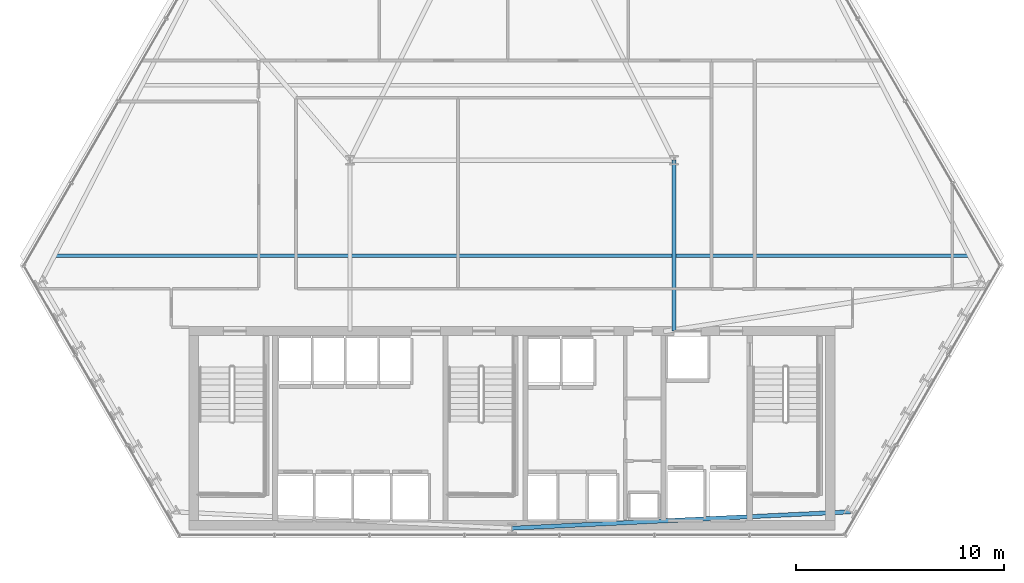
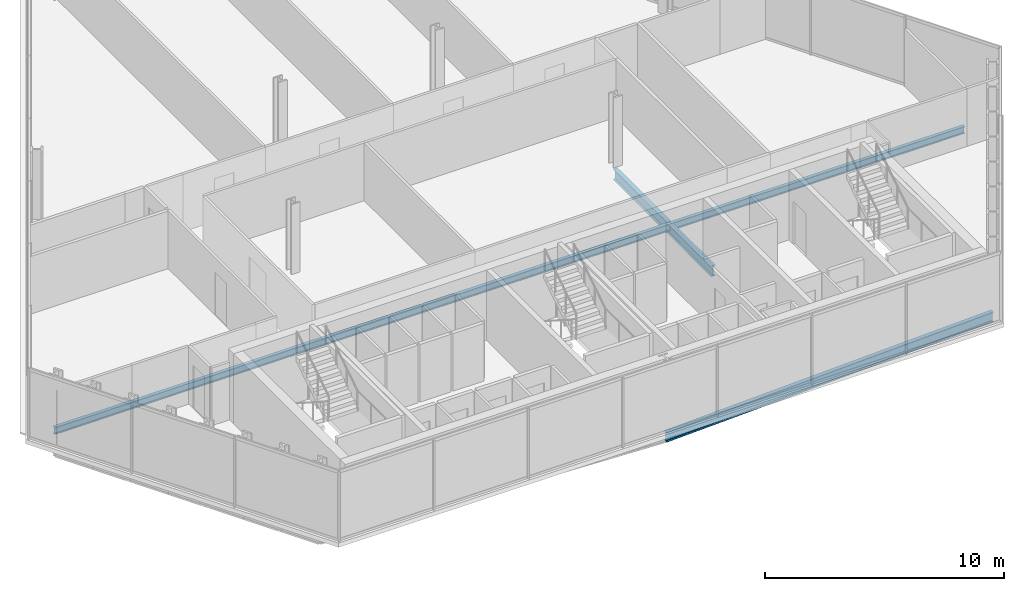
# One storey, part 10 of 32: 3 beams.
"""IFC4 building model written with IfcOpenShell, lengths in metres."""

from ifc_helpers import new_model, si_unit, direction, frame, origin, origin_2d, place, context, subcontext, project, spatial, i_section, extrude, material, material_profile, profile_set, type_object, element, save


model = new_model("IFC4")

# Units and contexts
model_context = context("Model", 3, precision=1e-05, world=origin(), true_north=direction((0.0, 1.0)))
body_context = subcontext(model_context, "Body", "Model", "MODEL_VIEW")
ifc_project = project(units=[si_unit("LENGTHUNIT", "METRE"), si_unit("AREAUNIT", "SQUARE_METRE"), si_unit("VOLUMEUNIT", "CUBIC_METRE"), si_unit("PLANEANGLEUNIT", "RADIAN"), si_unit("MASSUNIT", "GRAM", prefix="KILO")], contexts=[model_context])

# Site, building, storey
site_placement = place(None, origin())
site = spatial("IfcSite", under=ifc_project, at=site_placement, CompositionType="ELEMENT")
building_placement = place(site_placement, origin())
building = spatial("IfcBuilding", under=site, at=building_placement, Name="Ndaravel Arena Tower", CompositionType="ELEMENT")
storey_placement = place(building_placement, frame((0.0, 0.0, 70.199951171875)))
storey = spatial("IfcBuildingStorey", under=building, at=storey_placement, Name="L15", CompositionType="ELEMENT", Elevation=70.199951171875)

# Beams
ifc_material_1 = material(Name="Steel S355", Category="steel")
ifc_material_profile_1 = material_profile(ifc_material_1, i_section(OverallWidth=0.210693359375, OverallDepth=0.53955078125, WebThickness=0.01171875, FlangeThickness=0.018798828125, FilletRadius=0.0126953125, at=origin_2d()), Name="UB 533x210x109")
ifc_profile_set_1 = profile_set([ifc_material_profile_1], Name="Steel S355")
beam_type_1 = type_object("IfcBeamType", Name="BM-GIRD-UB533", PredefinedType="BEAM", material=ifc_profile_set_1)
beam_1_placement = place(storey_placement, frame((49.800048828125, 14.97998046875, -0.48974609375), z_axis=(0.0, 1.0, 0.0), x_axis=(-1.0, 0.0, 0.0)))
element("IfcBeam", 1, at=beam_1_placement, inside=storey, type_object=beam_type_1, Name="L15 Spine Link Girder SLG-02", PredefinedType="BEAM", context=body_context, shape_type="SweptSolid", body=[
    extrude(i_section(OverallWidth=0.210693359375, OverallDepth=0.53955078125, WebThickness=0.01171875, FlangeThickness=0.018798828125, FilletRadius=0.0126953125, at=origin_2d()), origin(), (0.0, 0.0, 1.0), 8.219970703125),
])
ifc_material_2 = material(Name="Steel S355", Category="steel")
ifc_material_profile_2 = material_profile(ifc_material_2, i_section(OverallWidth=0.169921875, OverallDepth=0.360107421875, WebThickness=0.008056640625, FlangeThickness=0.0126953125, FilletRadius=0.01806640625, at=origin_2d()), Name="IPE 360")
ifc_profile_set_2 = profile_set([ifc_material_profile_2], Name="Steel S355")
beam_type_2 = type_object("IfcBeamType", Name="BM-JOIST-IPE360", PredefinedType="JOIST", material=ifc_profile_set_2)
beam_2_placement = place(storey_placement, frame((19.974365234375, 18.60009765625, -0.39990234375), z_axis=(1.0, 0.0, 0.0), x_axis=(0.0, 1.0, 0.0)))
element("IfcBeam", 2, at=beam_2_placement, inside=storey, type_object=beam_type_2, Name="L15 Composite Floor Joist FJ-01", PredefinedType="JOIST", context=body_context, shape_type="SweptSolid", body=[
    extrude(i_section(OverallWidth=0.169921875, OverallDepth=0.360107421875, WebThickness=0.008056640625, FlangeThickness=0.0126953125, FilletRadius=0.01806640625, at=origin_2d()), origin(), (0.0, 0.0, 1.0), 44.05126953125),
])
ifc_material_3 = material(Name="Steel S355", Category="steel")
ifc_material_profile_3 = material_profile(ifc_material_3, i_section(OverallWidth=0.199951171875, OverallDepth=0.5, WebThickness=0.01025390625, FlangeThickness=0.01611328125, FilletRadius=0.02099609375, at=origin_2d()), Name="IPE 500")
ifc_profile_set_3 = profile_set([ifc_material_profile_3], Name="Steel S355")
beam_type_3 = type_object("IfcBeamType", Name="BM-SPAN-IPE500", PredefinedType="SPANDREL", material=ifc_profile_set_3)
beam_3_placement = place(storey_placement, frame((42.0, 5.47998046875, -0.469970703125), z_axis=(0.99882408685, 0.048481373006, 0.0), x_axis=(-0.048481373006, 0.99882408685, 0.0)))
element("IfcBeam", 3, at=beam_3_placement, inside=storey, type_object=beam_type_3, Name="L15 Perimeter Spandrel Beam SP-01", PredefinedType="SPANDREL", context=body_context, shape_type="SweptSolid", body=[
    extrude(i_section(OverallWidth=0.199951171875, OverallDepth=0.5, WebThickness=0.01025390625, FlangeThickness=0.01611328125, FilletRadius=0.02099609375, at=origin_2d()), origin(), (0.0, 0.0, 1.0), 16.305908203125),
])

save(model, "model.ifc")
